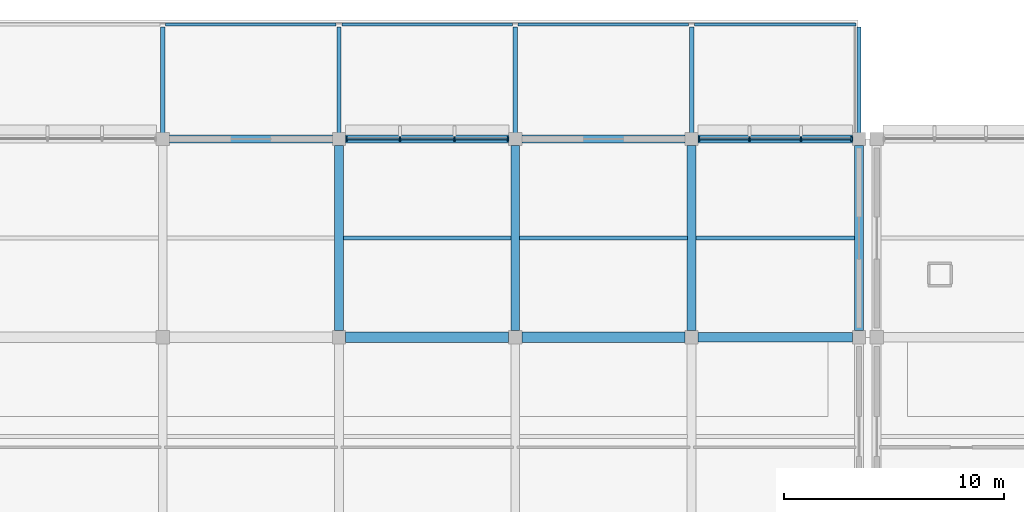
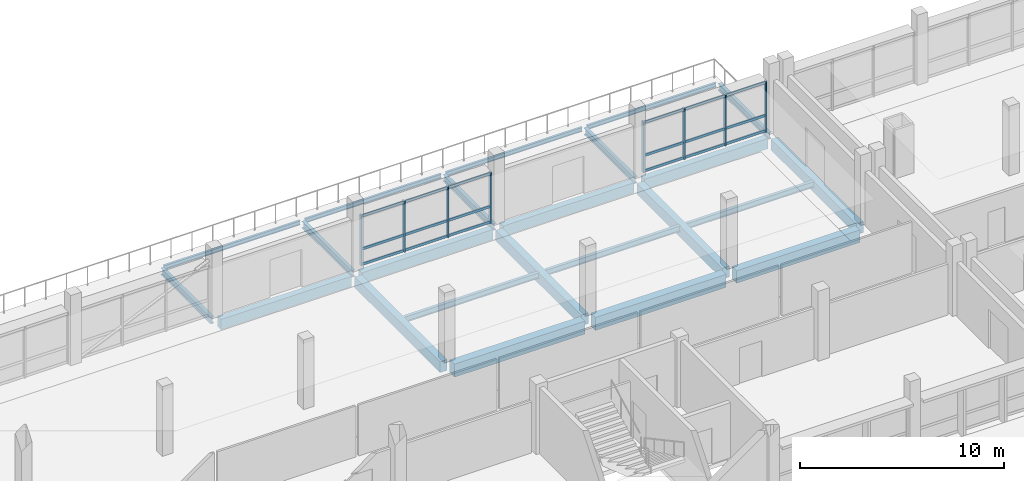
# One storey, part 29 of 70: 26 members, 23 beams, 2 elements without a shape of their own.
"""IFC4 building model written with IfcOpenShell, lengths in metres."""

from ifc_helpers import new_model, si_unit, direction, frame, origin, origin_2d, place, context, subcontext, project, spatial, rectangle, i_section, extrude, material, material_profile, profile_set, type_object, element, aggregate, save


model = new_model("IFC4")

# Units and contexts
model_context = context("Model", 3, precision=1e-05, world=origin(), true_north=direction((0.0, 1.0)))
body_context = subcontext(model_context, "Body", "Model", "MODEL_VIEW")
ifc_project = project(units=[si_unit("LENGTHUNIT", "METRE"), si_unit("AREAUNIT", "SQUARE_METRE"), si_unit("VOLUMEUNIT", "CUBIC_METRE"), si_unit("PLANEANGLEUNIT", "RADIAN"), si_unit("MASSUNIT", "GRAM", prefix="KILO"), si_unit("THERMODYNAMICTEMPERATUREUNIT", "KELVIN"), si_unit("POWERUNIT", "WATT")], contexts=[model_context])

# Site, building, storey
site_placement = place(None, origin())
site = spatial("IfcSite", under=ifc_project, at=site_placement, CompositionType="ELEMENT")
building_placement = place(site_placement, origin())
building = spatial("IfcBuilding", under=site, at=building_placement, Name="Kronsvod Quay Wholesale Market", CompositionType="ELEMENT")
storey_placement = place(building_placement, frame((0.0, 0.0, 9.0)))
storey = spatial("IfcBuildingStorey", under=building, at=storey_placement, Name="L02", CompositionType="ELEMENT", Elevation=9.0)

# Beams
ifc_material_1 = material(Name="Precast concrete C40/50", Category="concrete")
ifc_material_profile_1 = material_profile(ifc_material_1, rectangle(XDim=0.39990234375, YDim=0.64990234375, at=origin_2d()), Name="PCB400x650")
ifc_profile_set_1 = profile_set([ifc_material_profile_1], Name="Precast concrete C40/50")
beam_type_1 = type_object("IfcBeamType", Name="Beam_PCB400x650", PredefinedType="BEAM", material=ifc_profile_set_1)
for number, where, z_axis, x_axis, name in (
    (1, (104.0, 117.300048828125, -0.635009765625), (0.0, 1.0, 0.0), (-1.0, 0.0, 0.0), "BMY-L02-1040-1170"),
    (2, (112.0, 117.300048828125, -0.635009765625), (0.0, 1.0, 0.0), (-1.0, 0.0, 0.0), "BMY-L02-1120-1170"),
    (3, (120.0, 117.300048828125, -0.635009765625), (0.0, 1.0, 0.0), (-1.0, 0.0, 0.0), "BMY-L02-1200-1170"),
    (4, (127.60009765625, 117.300048828125, -0.635009765625), (0.0, 1.0, 0.0), (-1.0, 0.0, 0.0), "BMY-L02-1276-1170"),
):
    element("IfcBeam", number, at=place(storey_placement, frame(where, z_axis=z_axis, x_axis=x_axis)), inside=storey, type_object=beam_type_1, Name=name, PredefinedType="BEAM", context=body_context, shape_type="SweptSolid", body=[
        extrude(rectangle(XDim=0.39990234375, YDim=0.64990234375, at=origin_2d()), origin(), (0.0, 0.0, 1.0), 8.39990234375),
    ])
ifc_material_2 = material(Name="Precast concrete C40/50", Category="concrete")
ifc_material_profile_2 = material_profile(ifc_material_2, rectangle(XDim=0.449951171875, YDim=0.75, at=origin_2d()), Name="PCB450x750")
ifc_profile_set_2 = profile_set([ifc_material_profile_2], Name="Precast concrete C40/50")
beam_type_2 = type_object("IfcBeamType", Name="Beam_PCB450x750", PredefinedType="BEAM", material=ifc_profile_set_2)
beam_1_placement = place(storey_placement, frame((120.300048828125, 117.0, -0.68505859375), z_axis=(1.0, 0.0, 0.0), x_axis=(0.0, 1.0, 0.0)))
element("IfcBeam", 5, at=beam_1_placement, inside=storey, type_object=beam_type_2, Name="BMX-L02-1200-1170", PredefinedType="BEAM", context=body_context, shape_type="SweptSolid", body=[
    extrude(rectangle(XDim=0.449951171875, YDim=0.75, at=origin_2d()), origin(), (0.0, 0.0, 1.0), 7.0),
])
ifc_material_3 = material(Name="Precast concrete C40/50", Category="concrete")
ifc_material_profile_3 = material_profile(ifc_material_3, rectangle(XDim=0.4599609375, YDim=0.780029296875, at=origin_2d()), Name="PB-03")
ifc_profile_set_3 = profile_set([ifc_material_profile_3], Name="Precast concrete C40/50")
beam_type_3 = type_object("IfcBeamType", Name="Beam_PCB460x780", PredefinedType="BEAM", material=ifc_profile_set_3)
for number, where, z_axis, x_axis, name in (
    (6, (104.300048828125, 117.0, -0.699951171875), (1.0, 0.0, 0.0), (0.0, 1.0, 0.0), "BMX-L02-1040-1170"),
    (7, (112.300048828125, 117.0, -0.699951171875), (1.0, 0.0, 0.0), (0.0, 1.0, 0.0), "BMX-L02-1120-1170"),
):
    element("IfcBeam", number, at=place(storey_placement, frame(where, z_axis=z_axis, x_axis=x_axis)), inside=storey, type_object=beam_type_3, Name=name, PredefinedType="BEAM", context=body_context, shape_type="SweptSolid", body=[
        extrude(rectangle(XDim=0.4599609375, YDim=0.780029296875, at=origin_2d()), origin(), (0.0, 0.0, 1.0), 7.39990234375),
    ])
ifc_material_4 = material(Name="Steel S355", Category="steel")
ifc_material_profile_4 = material_profile(ifc_material_4, i_section(OverallWidth=0.1240234375, OverallDepth=0.248046875, WebThickness=0.0048828125, FlangeThickness=0.008056640625, FilletRadius=0.011962890625, at=origin_2d()), Name="25B1")
ifc_profile_set_4 = profile_set([ifc_material_profile_4], Name="Steel S355")
beam_type_4 = type_object("IfcBeamType", Name="Beam_Steel25B1", PredefinedType="BEAM", material=ifc_profile_set_4)
for number, where, z_axis, x_axis, name in (
    (8, (96.1298828125, 131.199951171875, -0.388916015625), (1.0, 0.0, 0.0), (0.0, 1.0, 0.0), "BMBAL-X-L02-09"),
    (9, (104.1298828125, 131.199951171875, -0.388916015625), (1.0, 0.0, 0.0), (0.0, 1.0, 0.0), "BMBAL-X-L02-10"),
    (10, (112.1298828125, 131.199951171875, -0.388916015625), (1.0, 0.0, 0.0), (0.0, 1.0, 0.0), "BMBAL-X-L02-11"),
):
    element("IfcBeam", number, at=place(storey_placement, frame(where, z_axis=z_axis, x_axis=x_axis)), inside=storey, type_object=beam_type_4, Name=name, PredefinedType="BEAM", context=body_context, shape_type="SweptSolid", body=[
        extrude(i_section(OverallWidth=0.1240234375, OverallDepth=0.248046875, WebThickness=0.0048828125, FlangeThickness=0.008056640625, FilletRadius=0.011962890625, at=origin_2d()), origin(), (0.0, 0.0, 1.0), 7.740234375),
    ])
beam_2_placement = place(storey_placement, frame((120.1298828125, 131.199951171875, -0.388916015625), z_axis=(1.0, 0.0, 0.0), x_axis=(0.0, 1.0, 0.0)))
element("IfcBeam", 11, at=beam_2_placement, inside=storey, type_object=beam_type_4, Name="BMBAL-X-L02-12", PredefinedType="BEAM", context=body_context, shape_type="SweptSolid", body=[
    extrude(i_section(OverallWidth=0.1240234375, OverallDepth=0.248046875, WebThickness=0.0048828125, FlangeThickness=0.008056640625, FilletRadius=0.011962890625, at=origin_2d()), origin(), (0.0, 0.0, 1.0), 7.340087890625),
])
ifc_material_5 = material(Name="Steel S355", Category="steel")
ifc_material_profile_5 = material_profile(ifc_material_5, i_section(OverallWidth=0.198974609375, OverallDepth=0.39599609375, WebThickness=0.007080078125, FlangeThickness=0.010986328125, FilletRadius=0.01611328125, at=origin_2d()), Name="40B1")
ifc_profile_set_5 = profile_set([ifc_material_profile_5], Name="Steel S355")
beam_type_5 = type_object("IfcBeamType", Name="Beam_Steel40B1", PredefinedType="BEAM", material=ifc_profile_set_5)
for number, where, z_axis, x_axis, name in (
    (12, (96.0, 126.159912109375, -0.462890625), (0.0, 1.0, 0.0), (-1.0, 0.0, 0.0), "BMBAL-Y-L02-10"),
    (13, (104.0, 126.159912109375, -0.462890625), (0.0, 1.0, 0.0), (-1.0, 0.0, 0.0), "BMBAL-Y-L02-11"),
    (14, (112.0, 126.159912109375, -0.462890625), (0.0, 1.0, 0.0), (-1.0, 0.0, 0.0), "BMBAL-Y-L02-12"),
    (15, (120.0, 126.159912109375, -0.462890625), (0.0, 1.0, 0.0), (-1.0, 0.0, 0.0), "BMBAL-Y-L02-13"),
    (16, (127.60009765625, 126.159912109375, -0.462890625), (0.0, 1.0, 0.0), (-1.0, 0.0, 0.0), "BMBAL-Y-L02-14"),
):
    element("IfcBeam", number, at=place(storey_placement, frame(where, z_axis=z_axis, x_axis=x_axis)), inside=storey, type_object=beam_type_5, Name=name, PredefinedType="BEAM", context=body_context, shape_type="SweptSolid", body=[
        extrude(i_section(OverallWidth=0.198974609375, OverallDepth=0.39599609375, WebThickness=0.007080078125, FlangeThickness=0.010986328125, FilletRadius=0.01611328125, at=origin_2d()), origin(), (0.0, 0.0, 1.0), 4.920166015625),
    ])
ifc_material_6 = material(Name="Steel S355", Category="steel")
ifc_material_profile_6 = material_profile(ifc_material_6, i_section(OverallWidth=0.174072265625, OverallDepth=0.345947265625, WebThickness=0.006103515625, FlangeThickness=0.009033203125, FilletRadius=0.013916015625, at=origin_2d()), Name="35B1")
ifc_profile_set_6 = profile_set([ifc_material_profile_6], Name="Steel S355")
beam_type_6 = type_object("IfcBeamType", Name="Joist_Steel35B1", PredefinedType="JOIST", material=ifc_profile_set_6)
for number, where, z_axis, x_axis, name in (
    (17, (104.195068359375, 121.5, -0.423095703125), (1.0, 0.0, 0.0), (0.0, 1.0, 0.0), "JSTX-L02-1040-1170"),
    (18, (112.195068359375, 121.5, -0.423095703125), (1.0, 0.0, 0.0), (0.0, 1.0, 0.0), "JSTX-L02-1120-1170"),
):
    element("IfcBeam", number, at=place(storey_placement, frame(where, z_axis=z_axis, x_axis=x_axis)), inside=storey, type_object=beam_type_6, Name=name, PredefinedType="JOIST", context=body_context, shape_type="SweptSolid", body=[
        extrude(i_section(OverallWidth=0.174072265625, OverallDepth=0.345947265625, WebThickness=0.006103515625, FlangeThickness=0.009033203125, FilletRadius=0.013916015625, at=origin_2d()), origin(), (0.0, 0.0, 1.0), 7.60986328125),
    ])
beam_3_placement = place(storey_placement, frame((120.195068359375, 121.5, -0.423095703125), z_axis=(1.0, 0.0, 0.0), x_axis=(0.0, 1.0, 0.0)))
element("IfcBeam", 19, at=beam_3_placement, inside=storey, type_object=beam_type_6, Name="JSTX-L02-1200-1170", PredefinedType="JOIST", context=body_context, shape_type="SweptSolid", body=[
    extrude(i_section(OverallWidth=0.174072265625, OverallDepth=0.345947265625, WebThickness=0.006103515625, FlangeThickness=0.009033203125, FilletRadius=0.013916015625, at=origin_2d()), origin(), (0.0, 0.0, 1.0), 7.2099609375),
])

# Curtain wall, members
ifc_material_7 = material(Name="Thermally broken aluminium and triple low-E glazing", Category="aluminium")
curtain_wall_type_1 = type_object("IfcCurtainWallType", Name="CW_Harbour80x33", PredefinedType="NOTDEFINED", material=ifc_material_7)
curtain_wall_1_placement = place(storey_placement, origin())
curtain_wall_1 = element("IfcCurtainWall", 20, at=curtain_wall_1_placement, inside=storey, type_object=curtain_wall_type_1, Name="CWGX-L02-1040-1260", PredefinedType="NOTDEFINED")
ifc_material_8 = material(Name="Anodised aluminium", Category="aluminium")
ifc_material_profile_7 = material_profile(ifc_material_8, rectangle(XDim=0.074951171875, YDim=0.199951171875, at=origin_2d()), Name="ALUM75x200")
ifc_profile_set_7 = profile_set([ifc_material_profile_7], Name="Anodised aluminium")
member_type_1 = type_object("IfcMemberType", Name="Mullion_ALU75x200", PredefinedType="MULLION", material=ifc_profile_set_7)
member_1_placement = place(storey_placement, frame((111.66748046875, 126.0, 0.0), z_axis=(0.0, 0.0, 1.0), x_axis=(1.0, 0.0, 0.0)))
member_1 = element("IfcMember", 21, at=member_1_placement, type_object=member_type_1, Name="CWGX-L02-1040-1260-M1", PredefinedType="MULLION", context=body_context, shape_type="SweptSolid", body=[
    extrude(rectangle(XDim=0.074951171875, YDim=0.199951171875, at=origin_2d()), origin(), (0.0, 0.0, 1.0), 3.050048828125),
])
member_2_placement = place(storey_placement, frame((109.235107421875, 126.0, 0.0), z_axis=(0.0, 0.0, 1.0), x_axis=(1.0, 0.0, 0.0)))
member_2 = element("IfcMember", 22, at=member_2_placement, type_object=member_type_1, Name="CWGX-L02-1040-1260-M2", PredefinedType="MULLION", context=body_context, shape_type="SweptSolid", body=[
    extrude(rectangle(XDim=0.074951171875, YDim=0.199951171875, at=origin_2d()), origin(), (0.0, 0.0, 1.0), 3.050048828125),
])
member_3_placement = place(storey_placement, frame((106.764892578125, 126.0, 0.0), z_axis=(0.0, 0.0, 1.0), x_axis=(1.0, 0.0, 0.0)))
member_3 = element("IfcMember", 23, at=member_3_placement, type_object=member_type_1, Name="CWGX-L02-1040-1260-M3", PredefinedType="MULLION", context=body_context, shape_type="SweptSolid", body=[
    extrude(rectangle(XDim=0.074951171875, YDim=0.199951171875, at=origin_2d()), origin(), (0.0, 0.0, 1.0), 3.050048828125),
])
member_4_placement = place(storey_placement, frame((104.33251953125, 126.0, 0.0), z_axis=(0.0, 0.0, 1.0), x_axis=(1.0, 0.0, 0.0)))
member_4 = element("IfcMember", 24, at=member_4_placement, type_object=member_type_1, Name="CWGX-L02-1040-1260-M4", PredefinedType="MULLION", context=body_context, shape_type="SweptSolid", body=[
    extrude(rectangle(XDim=0.074951171875, YDim=0.199951171875, at=origin_2d()), origin(), (0.0, 0.0, 1.0), 3.050048828125),
])

ifc_material_9 = material(Name="Thermally broken aluminium and triple low-E glazing", Category="aluminium")
curtain_wall_type_2 = type_object("IfcCurtainWallType", Name="CW_Harbour76x33", PredefinedType="NOTDEFINED", material=ifc_material_9)
curtain_wall_2_placement = place(storey_placement, origin())
curtain_wall_2 = element("IfcCurtainWall", 25, at=curtain_wall_2_placement, inside=storey, type_object=curtain_wall_type_2, Name="CWGX-L02-1200-1260", PredefinedType="NOTDEFINED")
member_5_placement = place(storey_placement, frame((127.267578125, 126.0, 0.0), z_axis=(0.0, 0.0, 1.0), x_axis=(1.0, 0.0, 0.0)))
member_5 = element("IfcMember", 26, at=member_5_placement, type_object=member_type_1, Name="CWGX-L02-1200-1260-M1", PredefinedType="MULLION", context=body_context, shape_type="SweptSolid", body=[
    extrude(rectangle(XDim=0.074951171875, YDim=0.199951171875, at=origin_2d()), origin(), (0.0, 0.0, 1.0), 3.050048828125),
])
member_6_placement = place(storey_placement, frame((124.96826171875, 126.0, 0.0), z_axis=(0.0, 0.0, 1.0), x_axis=(1.0, 0.0, 0.0)))
member_6 = element("IfcMember", 27, at=member_6_placement, type_object=member_type_1, Name="CWGX-L02-1200-1260-M2", PredefinedType="MULLION", context=body_context, shape_type="SweptSolid", body=[
    extrude(rectangle(XDim=0.074951171875, YDim=0.199951171875, at=origin_2d()), origin(), (0.0, 0.0, 1.0), 3.050048828125),
])
member_7_placement = place(storey_placement, frame((122.631591796875, 126.0, 0.0), z_axis=(0.0, 0.0, 1.0), x_axis=(1.0, 0.0, 0.0)))
member_7 = element("IfcMember", 28, at=member_7_placement, type_object=member_type_1, Name="CWGX-L02-1200-1260-M3", PredefinedType="MULLION", context=body_context, shape_type="SweptSolid", body=[
    extrude(rectangle(XDim=0.074951171875, YDim=0.199951171875, at=origin_2d()), origin(), (0.0, 0.0, 1.0), 3.050048828125),
])
member_8_placement = place(storey_placement, frame((120.33251953125, 126.0, 0.0), z_axis=(0.0, 0.0, 1.0), x_axis=(1.0, 0.0, 0.0)))
member_8 = element("IfcMember", 29, at=member_8_placement, type_object=member_type_1, Name="CWGX-L02-1200-1260-M4", PredefinedType="MULLION", context=body_context, shape_type="SweptSolid", body=[
    extrude(rectangle(XDim=0.074951171875, YDim=0.199951171875, at=origin_2d()), origin(), (0.0, 0.0, 1.0), 3.050048828125),
])

# Beams
ifc_material_10 = material(Name="Precast concrete C40/50", Category="concrete")
ifc_material_profile_8 = material_profile(ifc_material_10, rectangle(XDim=0.360107421875, YDim=0.6201171875, at=origin_2d()), Name="SPB-02")
ifc_profile_set_8 = profile_set([ifc_material_profile_8], Name="Precast concrete C40/50")
beam_type_7 = type_object("IfcBeamType", Name="Spandrel_PCSP360x620", PredefinedType="SPANDREL", material=ifc_profile_set_8)
for number, where, z_axis, x_axis, name in (
    (30, (96.300048828125, 126.0, -0.6201171875), (1.0, 0.0, 0.0), (0.0, 1.0, 0.0), "BMX-L02-960-1260"),
    (31, (104.300048828125, 126.0, -0.6201171875), (1.0, 0.0, 0.0), (0.0, 1.0, 0.0), "BMX-L02-1040-1260"),
    (32, (112.300048828125, 126.0, -0.6201171875), (1.0, 0.0, 0.0), (0.0, 1.0, 0.0), "BMX-L02-1120-1260"),
):
    element("IfcBeam", number, at=place(storey_placement, frame(where, z_axis=z_axis, x_axis=x_axis)), inside=storey, type_object=beam_type_7, Name=name, PredefinedType="SPANDREL", context=body_context, shape_type="SweptSolid", body=[
        extrude(rectangle(XDim=0.360107421875, YDim=0.6201171875, at=origin_2d()), origin(), (0.0, 0.0, 1.0), 7.39990234375),
    ])
beam_4_placement = place(storey_placement, frame((120.300048828125, 126.0, -0.6201171875), z_axis=(1.0, 0.0, 0.0), x_axis=(0.0, 1.0, 0.0)))
element("IfcBeam", 33, at=beam_4_placement, inside=storey, type_object=beam_type_7, Name="BMX-L02-1200-1260", PredefinedType="SPANDREL", context=body_context, shape_type="SweptSolid", body=[
    extrude(rectangle(XDim=0.360107421875, YDim=0.6201171875, at=origin_2d()), origin(), (0.0, 0.0, 1.0), 7.0),
])

# Member
ifc_material_11 = material(Name="Anodised aluminium", Category="aluminium")
ifc_material_profile_9 = material_profile(ifc_material_11, rectangle(XDim=0.074951171875, YDim=0.14990234375, at=origin_2d()), Name="ALUT75x150")
ifc_profile_set_9 = profile_set([ifc_material_profile_9], Name="Anodised aluminium")
member_type_2 = type_object("IfcMemberType", Name="Transom_ALU75x150", PredefinedType="USERDEFINED", material=ifc_profile_set_9)
member_9_placement = place(storey_placement, frame((111.6298828125, 126.0, 0.074951171875), z_axis=(-1.0, 0.0, 0.0), x_axis=(0.0, -1.0, 0.0)))
member_9 = element("IfcMember", 34, at=member_9_placement, type_object=member_type_2, Name="CWGX-L02-1040-1260-T1B1", ObjectType="TRANSOM", PredefinedType="USERDEFINED", context=body_context, shape_type="SweptSolid", body=[
    extrude(rectangle(XDim=0.074951171875, YDim=0.14990234375, at=origin_2d()), origin(), (0.0, 0.0, 1.0), 2.357421875),
])

member_10_placement = place(storey_placement, frame((109.197509765625, 126.0, 0.074951171875), z_axis=(-1.0, 0.0, 0.0), x_axis=(0.0, -1.0, 0.0)))
member_10 = element("IfcMember", 35, at=member_10_placement, type_object=member_type_2, Name="CWGX-L02-1040-1260-T1B2", ObjectType="TRANSOM", PredefinedType="USERDEFINED", context=body_context, shape_type="SweptSolid", body=[
    extrude(rectangle(XDim=0.074951171875, YDim=0.14990234375, at=origin_2d()), origin(), (0.0, 0.0, 1.0), 2.39501953125),
])

member_11_placement = place(storey_placement, frame((106.7275390625, 126.0, 0.074951171875), z_axis=(-1.0, 0.0, 0.0), x_axis=(0.0, -1.0, 0.0)))
member_11 = element("IfcMember", 36, at=member_11_placement, type_object=member_type_2, Name="CWGX-L02-1040-1260-T1B3", ObjectType="TRANSOM", PredefinedType="USERDEFINED", context=body_context, shape_type="SweptSolid", body=[
    extrude(rectangle(XDim=0.074951171875, YDim=0.14990234375, at=origin_2d()), origin(), (0.0, 0.0, 1.0), 2.357421875),
])

member_12_placement = place(storey_placement, frame((111.6298828125, 126.0, 1.0), z_axis=(-1.0, 0.0, 0.0), x_axis=(0.0, -1.0, 0.0)))
member_12 = element("IfcMember", 37, at=member_12_placement, type_object=member_type_2, Name="CWGX-L02-1040-1260-T2B1", ObjectType="TRANSOM", PredefinedType="USERDEFINED", context=body_context, shape_type="SweptSolid", body=[
    extrude(rectangle(XDim=0.074951171875, YDim=0.14990234375, at=origin_2d()), origin(), (0.0, 0.0, 1.0), 2.357421875),
])

member_13_placement = place(storey_placement, frame((109.197509765625, 126.0, 1.0), z_axis=(-1.0, 0.0, 0.0), x_axis=(0.0, -1.0, 0.0)))
member_13 = element("IfcMember", 38, at=member_13_placement, type_object=member_type_2, Name="CWGX-L02-1040-1260-T2B2", ObjectType="TRANSOM", PredefinedType="USERDEFINED", context=body_context, shape_type="SweptSolid", body=[
    extrude(rectangle(XDim=0.074951171875, YDim=0.14990234375, at=origin_2d()), origin(), (0.0, 0.0, 1.0), 2.39501953125),
])

member_14_placement = place(storey_placement, frame((106.7275390625, 126.0, 1.0), z_axis=(-1.0, 0.0, 0.0), x_axis=(0.0, -1.0, 0.0)))
member_14 = element("IfcMember", 39, at=member_14_placement, type_object=member_type_2, Name="CWGX-L02-1040-1260-T2B3", ObjectType="TRANSOM", PredefinedType="USERDEFINED", context=body_context, shape_type="SweptSolid", body=[
    extrude(rectangle(XDim=0.074951171875, YDim=0.14990234375, at=origin_2d()), origin(), (0.0, 0.0, 1.0), 2.357421875),
])

member_15_placement = place(storey_placement, frame((111.6298828125, 126.0, 2.97509765625), z_axis=(-1.0, 0.0, 0.0), x_axis=(0.0, -1.0, 0.0)))
member_15 = element("IfcMember", 40, at=member_15_placement, type_object=member_type_2, Name="CWGX-L02-1040-1260-T3B1", ObjectType="TRANSOM", PredefinedType="USERDEFINED", context=body_context, shape_type="SweptSolid", body=[
    extrude(rectangle(XDim=0.074951171875, YDim=0.14990234375, at=origin_2d()), origin(), (0.0, 0.0, 1.0), 2.357421875),
])

member_16_placement = place(storey_placement, frame((109.197509765625, 126.0, 2.97509765625), z_axis=(-1.0, 0.0, 0.0), x_axis=(0.0, -1.0, 0.0)))
member_16 = element("IfcMember", 41, at=member_16_placement, type_object=member_type_2, Name="CWGX-L02-1040-1260-T3B2", ObjectType="TRANSOM", PredefinedType="USERDEFINED", context=body_context, shape_type="SweptSolid", body=[
    extrude(rectangle(XDim=0.074951171875, YDim=0.14990234375, at=origin_2d()), origin(), (0.0, 0.0, 1.0), 2.39501953125),
])

member_17_placement = place(storey_placement, frame((106.7275390625, 126.0, 2.97509765625), z_axis=(-1.0, 0.0, 0.0), x_axis=(0.0, -1.0, 0.0)))
member_17 = element("IfcMember", 42, at=member_17_placement, type_object=member_type_2, Name="CWGX-L02-1040-1260-T3B3", ObjectType="TRANSOM", PredefinedType="USERDEFINED", context=body_context, shape_type="SweptSolid", body=[
    extrude(rectangle(XDim=0.074951171875, YDim=0.14990234375, at=origin_2d()), origin(), (0.0, 0.0, 1.0), 2.357421875),
])

aggregate(curtain_wall_1, [member_1, member_2, member_3, member_4, member_9, member_10, member_11, member_12, member_13, member_14, member_15, member_16, member_17])

member_18_placement = place(storey_placement, frame((127.22998046875, 126.0, 0.074951171875), z_axis=(-1.0, 0.0, 0.0), x_axis=(0.0, -1.0, 0.0)))
member_18 = element("IfcMember", 43, at=member_18_placement, type_object=member_type_2, Name="CWGX-L02-1200-1260-T1B1", ObjectType="TRANSOM", PredefinedType="USERDEFINED", context=body_context, shape_type="SweptSolid", body=[
    extrude(rectangle(XDim=0.074951171875, YDim=0.14990234375, at=origin_2d()), origin(), (0.0, 0.0, 1.0), 2.22412109375),
])

member_19_placement = place(storey_placement, frame((124.930908203125, 126.0, 0.074951171875), z_axis=(-1.0, 0.0, 0.0), x_axis=(0.0, -1.0, 0.0)))
member_19 = element("IfcMember", 44, at=member_19_placement, type_object=member_type_2, Name="CWGX-L02-1200-1260-T1B2", ObjectType="TRANSOM", PredefinedType="USERDEFINED", context=body_context, shape_type="SweptSolid", body=[
    extrude(rectangle(XDim=0.074951171875, YDim=0.14990234375, at=origin_2d()), origin(), (0.0, 0.0, 1.0), 2.26171875),
])

member_20_placement = place(storey_placement, frame((122.59423828125, 126.0, 0.074951171875), z_axis=(-1.0, 0.0, 0.0), x_axis=(0.0, -1.0, 0.0)))
member_20 = element("IfcMember", 45, at=member_20_placement, type_object=member_type_2, Name="CWGX-L02-1200-1260-T1B3", ObjectType="TRANSOM", PredefinedType="USERDEFINED", context=body_context, shape_type="SweptSolid", body=[
    extrude(rectangle(XDim=0.074951171875, YDim=0.14990234375, at=origin_2d()), origin(), (0.0, 0.0, 1.0), 2.22412109375),
])

member_21_placement = place(storey_placement, frame((127.22998046875, 126.0, 1.0), z_axis=(-1.0, 0.0, 0.0), x_axis=(0.0, -1.0, 0.0)))
member_21 = element("IfcMember", 46, at=member_21_placement, type_object=member_type_2, Name="CWGX-L02-1200-1260-T2B1", ObjectType="TRANSOM", PredefinedType="USERDEFINED", context=body_context, shape_type="SweptSolid", body=[
    extrude(rectangle(XDim=0.074951171875, YDim=0.14990234375, at=origin_2d()), origin(), (0.0, 0.0, 1.0), 2.22412109375),
])

member_22_placement = place(storey_placement, frame((124.930908203125, 126.0, 1.0), z_axis=(-1.0, 0.0, 0.0), x_axis=(0.0, -1.0, 0.0)))
member_22 = element("IfcMember", 47, at=member_22_placement, type_object=member_type_2, Name="CWGX-L02-1200-1260-T2B2", ObjectType="TRANSOM", PredefinedType="USERDEFINED", context=body_context, shape_type="SweptSolid", body=[
    extrude(rectangle(XDim=0.074951171875, YDim=0.14990234375, at=origin_2d()), origin(), (0.0, 0.0, 1.0), 2.26171875),
])

member_23_placement = place(storey_placement, frame((122.59423828125, 126.0, 1.0), z_axis=(-1.0, 0.0, 0.0), x_axis=(0.0, -1.0, 0.0)))
member_23 = element("IfcMember", 48, at=member_23_placement, type_object=member_type_2, Name="CWGX-L02-1200-1260-T2B3", ObjectType="TRANSOM", PredefinedType="USERDEFINED", context=body_context, shape_type="SweptSolid", body=[
    extrude(rectangle(XDim=0.074951171875, YDim=0.14990234375, at=origin_2d()), origin(), (0.0, 0.0, 1.0), 2.22412109375),
])

member_24_placement = place(storey_placement, frame((127.22998046875, 126.0, 2.97509765625), z_axis=(-1.0, 0.0, 0.0), x_axis=(0.0, -1.0, 0.0)))
member_24 = element("IfcMember", 49, at=member_24_placement, type_object=member_type_2, Name="CWGX-L02-1200-1260-T3B1", ObjectType="TRANSOM", PredefinedType="USERDEFINED", context=body_context, shape_type="SweptSolid", body=[
    extrude(rectangle(XDim=0.074951171875, YDim=0.14990234375, at=origin_2d()), origin(), (0.0, 0.0, 1.0), 2.22412109375),
])

member_25_placement = place(storey_placement, frame((124.930908203125, 126.0, 2.97509765625), z_axis=(-1.0, 0.0, 0.0), x_axis=(0.0, -1.0, 0.0)))
member_25 = element("IfcMember", 50, at=member_25_placement, type_object=member_type_2, Name="CWGX-L02-1200-1260-T3B2", ObjectType="TRANSOM", PredefinedType="USERDEFINED", context=body_context, shape_type="SweptSolid", body=[
    extrude(rectangle(XDim=0.074951171875, YDim=0.14990234375, at=origin_2d()), origin(), (0.0, 0.0, 1.0), 2.26171875),
])

member_26_placement = place(storey_placement, frame((122.59423828125, 126.0, 2.97509765625), z_axis=(-1.0, 0.0, 0.0), x_axis=(0.0, -1.0, 0.0)))
member_26 = element("IfcMember", 51, at=member_26_placement, type_object=member_type_2, Name="CWGX-L02-1200-1260-T3B3", ObjectType="TRANSOM", PredefinedType="USERDEFINED", context=body_context, shape_type="SweptSolid", body=[
    extrude(rectangle(XDim=0.074951171875, YDim=0.14990234375, at=origin_2d()), origin(), (0.0, 0.0, 1.0), 2.22412109375),
])

aggregate(curtain_wall_2, [member_5, member_6, member_7, member_8, member_18, member_19, member_20, member_21, member_22, member_23, member_24, member_25, member_26])

save(model, "model.ifc")
